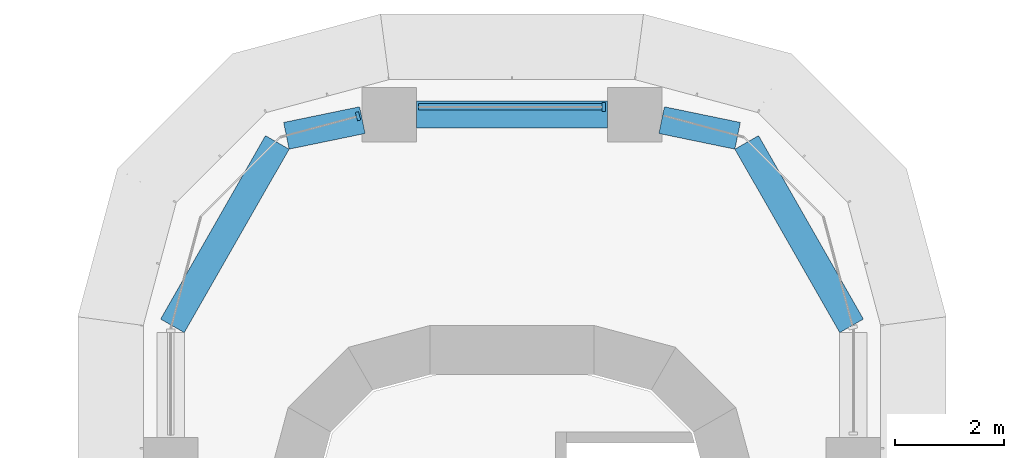
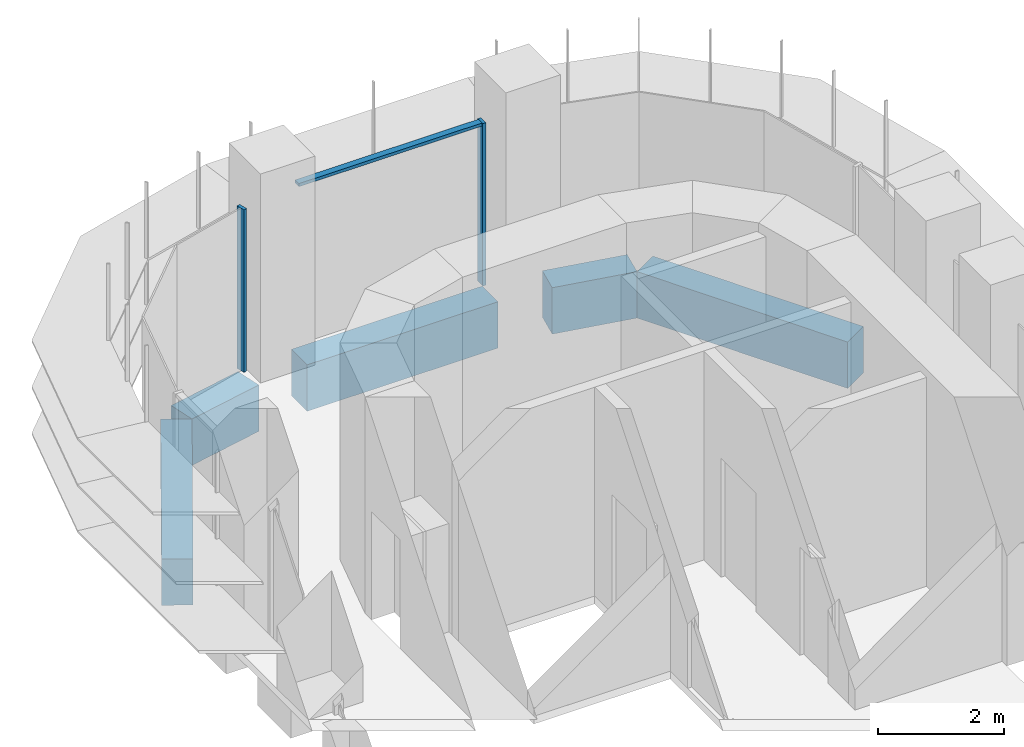
# One storey, part 12 of 23: 5 beams, 3 members, 2 elements without a shape of their own.
"""IFC4 building model written with IfcOpenShell, lengths in metres."""

from ifc_helpers import new_model, si_unit, direction, frame, origin, origin_2d, place, context, subcontext, project, spatial, polyline, rectangle, outline, extrude, source, transform, mapped, material, material_profile, profile_set, type_object, element, aggregate, save


model = new_model("IFC4")

# Units and contexts
model_context = context("Model", 3, precision=1e-05, world=origin(), true_north=direction((0.0, 1.0)))
body_context = subcontext(model_context, "Body", "Model", "MODEL_VIEW")
ifc_project = project(units=[si_unit("LENGTHUNIT", "METRE"), si_unit("AREAUNIT", "SQUARE_METRE"), si_unit("VOLUMEUNIT", "CUBIC_METRE"), si_unit("PLANEANGLEUNIT", "RADIAN"), si_unit("MASSUNIT", "GRAM", prefix="KILO")], contexts=[model_context])

# Site, building, storey
site_placement = place(None, origin())
site = spatial("IfcSite", under=ifc_project, at=site_placement, CompositionType="ELEMENT")
building_placement = place(site_placement, origin())
building = spatial("IfcBuilding", under=site, at=building_placement, Name="Zarbagh Exchange Tower", CompositionType="ELEMENT")
storey_placement = place(building_placement, frame((0.0, 0.0, 35.39990234375)))
storey = spatial("IfcBuildingStorey", under=building, at=storey_placement, Name="L07", CompositionType="ELEMENT", Elevation=35.39990234375)

# Beams
ifc_material_1 = material(Name="Concrete C60/75", Category="concrete")
ifc_material_profile = material_profile(ifc_material_1, rectangle(XDim=0.5, YDim=0.89990234375, at=origin_2d()), Name="RC spandrel beam 500 x 900 C60/75")
ifc_profile_set = profile_set([ifc_material_profile], Name="Concrete C60/75")
beam_type = type_object("IfcBeamType", Name="RC spandrel beam 500 x 900 C60/75", PredefinedType="SPANDREL", material=ifc_profile_set)
beam_1_placement = place(storey_placement, frame((-6.217041015625, 29.24169921875, -0.599853515625), z_axis=(0.496220481126, 0.868196541177, 0.0), x_axis=(-0.868196541177, 0.496220481126, 0.0)))
element("IfcBeam", 1, at=beam_1_placement, inside=storey, type_object=beam_type, Name="RC spandrel beam", PredefinedType="SPANDREL", context=body_context, shape_type="SweptSolid", body=[
    extrude(rectangle(XDim=0.5, YDim=0.89990234375, at=origin_2d()), origin(), (0.0, 0.0, 1.0), 3.869140625),
])
beam_2_placement = place(storey_placement, frame((-4.130615234375, 32.7216796875, -0.599853515625), z_axis=(0.979352054934, 0.202162193541, 0.0), x_axis=(-0.202162193541, 0.979352054934, 0.0)))
element("IfcBeam", 2, at=beam_2_placement, inside=storey, type_object=beam_type, Name="RC spandrel beam", PredefinedType="SPANDREL", context=body_context, shape_type="SweptSolid", body=[
    extrude(rectangle(XDim=0.5, YDim=0.89990234375, at=origin_2d()), origin(), (0.0, 0.0, 1.0), 1.420166015625),
])
beam_3_placement = place(storey_placement, frame((-1.75, 33.110107421875, -0.599853515625), z_axis=(1.0, 0.0, 0.0), x_axis=(0.0, 1.0, 0.0)))
element("IfcBeam", 3, at=beam_3_placement, inside=storey, type_object=beam_type, Name="RC spandrel beam", PredefinedType="SPANDREL", context=body_context, shape_type="SweptSolid", body=[
    extrude(rectangle(XDim=0.5, YDim=0.89990234375, at=origin_2d()), origin(), (0.0, 0.0, 1.0), 3.5),
])
beam_4_placement = place(storey_placement, frame((2.73974609375, 33.0087890625, -0.599853515625), z_axis=(0.979352054934, -0.202162193541, 0.0), x_axis=(0.202162193541, 0.979352054934, 0.0)))
element("IfcBeam", 4, at=beam_4_placement, inside=storey, type_object=beam_type, Name="RC spandrel beam", PredefinedType="SPANDREL", context=body_context, shape_type="SweptSolid", body=[
    extrude(rectangle(XDim=0.5, YDim=0.89990234375, at=origin_2d()), origin(), (0.0, 0.0, 1.0), 1.420166015625),
])
beam_5_placement = place(storey_placement, frame((4.297119140625, 32.600830078125, -0.599853515625), z_axis=(0.496220481126, -0.868196541177, 0.0), x_axis=(0.868196541177, 0.496220481126, 0.0)))
element("IfcBeam", 5, at=beam_5_placement, inside=storey, type_object=beam_type, Name="RC spandrel beam", PredefinedType="SPANDREL", context=body_context, shape_type="SweptSolid", body=[
    extrude(rectangle(XDim=0.5, YDim=0.89990234375, at=origin_2d()), origin(), (0.0, 0.0, 1.0), 3.869140625),
])

# Curtain wall, member
ifc_material_2 = material(Name="Anodised aluminium frame and glazing", Category="aluminium")
curtain_wall_type = type_object("IfcCurtainWallType", Name="CWA Ribbon glazing, lower zones", PredefinedType="NOTDEFINED", material=ifc_material_2)
curtain_wall_1_placement = place(storey_placement, origin())
curtain_wall_1 = element("IfcCurtainWall", 6, at=curtain_wall_1_placement, inside=storey, type_object=curtain_wall_type, Name="CWA24 curtain wall", PredefinedType="NOTDEFINED")
ifc_material_3 = material(Name="Anodised aluminium frame", Category="aluminium")
member_type_1 = type_object("IfcMemberType", Name="MUA Mullion, anodised aluminium frame", PredefinedType="MULLION", material=ifc_material_3)
shared_shape_1 = source(origin(), body_context, "Body", "SweptSolid", [
    extrude(outline(polyline([(0.0, -0.080078125), (0.06005859375, -0.080078125), (0.06005859375, 0.080078125), (0.0, 0.080078125), (0.0, -0.080078125)])), origin(), (0.0, 0.0, 1.0), 3.14990234375),
])
placement = place(storey_placement, origin())
member_1 = element("IfcMember", 7, at=placement, type_object=member_type_1, Name="CWA24 mullion 1.1", PredefinedType="MULLION", context=body_context, shape_type="MappedRepresentation", body=[
    mapped(shared_shape_1, transform((1.7099609375, 33.25, 0.0), x_axis=(-1.0, 0.0, 0.0), y_axis=(0.0, -1.0, 0.0), z_axis=(0.0, 0.0, 1.0))),
])

curtain_wall_2_placement = place(storey_placement, origin())
curtain_wall_2 = element("IfcCurtainWall", 8, at=curtain_wall_2_placement, inside=storey, type_object=curtain_wall_type, Name="CWA25 curtain wall", PredefinedType="NOTDEFINED")
member_2 = element("IfcMember", 9, at=placement, type_object=member_type_1, Name="CWA25 mullion 1.1", PredefinedType="MULLION", context=body_context, shape_type="MappedRepresentation", body=[
    mapped(shared_shape_1, transform((-2.7900390625, 33.087646484375, 0.0), x_axis=(-0.965924289636, -0.258824779902, 0.0), y_axis=(0.258824779902, -0.965924289636, 0.0), z_axis=(0.0, 0.0, 1.0))),
])
aggregate(curtain_wall_2, [member_2])

# Member
member_type_2 = type_object("IfcMemberType", Name="TRA Transom, anodised aluminium frame", PredefinedType="USERDEFINED", material=ifc_material_3)
shared_shape_2 = source(origin(), body_context, "Body", "SweptSolid", [
    extrude(outline(polyline([(-0.06005859375, -0.06005859375), (0.0, -0.06005859375), (0.0, 0.06005859375), (-0.06005859375, 0.06005859375), (-0.06005859375, -0.06005859375)])), origin(), (0.0, 0.0, 1.0), 3.360107421875),
])
member_3 = element("IfcMember", 10, at=placement, type_object=member_type_2, Name="CWA24 transom 1.1", ObjectType="TRANSOM", PredefinedType="USERDEFINED", context=body_context, shape_type="MappedRepresentation", body=[
    mapped(shared_shape_2, transform((1.64990234375, 33.25, 3.150146484375), x_axis=(0.0, 0.0, 1.0), y_axis=(0.0, 1.0, 0.0), z_axis=(-1.0, 0.0, 0.0))),
])

aggregate(curtain_wall_1, [member_1, member_3])

save(model, "model.ifc")
